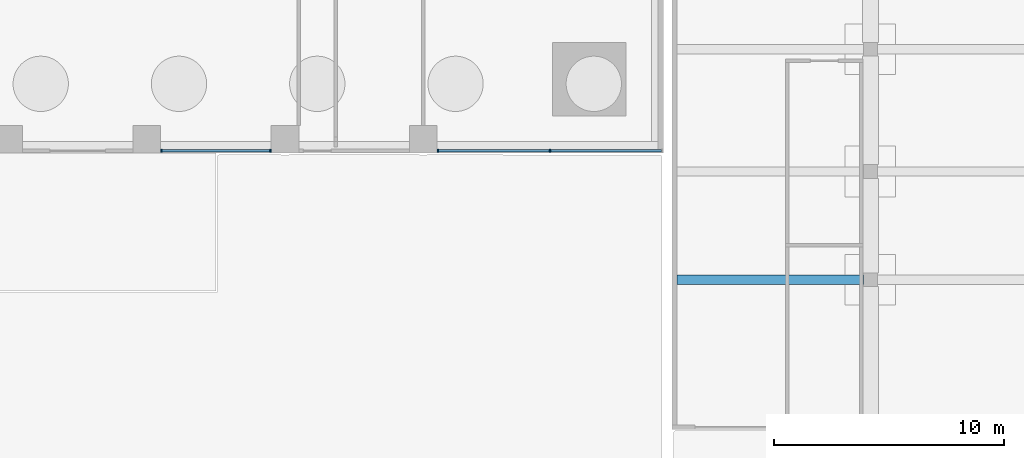
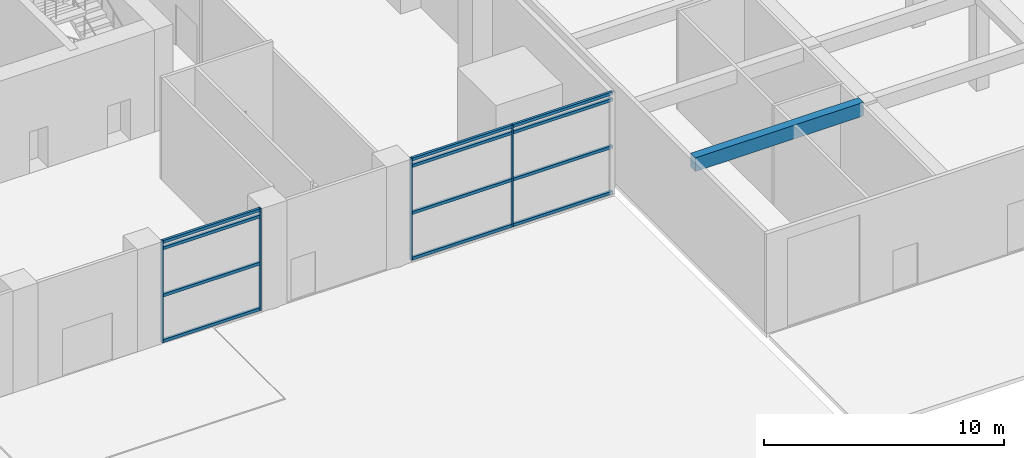
# One storey, part 4 of 33: 16 members, 1 beam, 2 elements without a shape of their own.
"""IFC4 building model written with IfcOpenShell, lengths in metres."""

from ifc_helpers import new_model, si_unit, direction, frame, origin, origin_2d, place, context, subcontext, project, spatial, rectangle, extrude, material, material_profile, profile_set, type_object, element, aggregate, save


model = new_model("IFC4")

# Units and contexts
model_context = context("Model", 3, precision=1e-05, world=origin(), true_north=direction((0.0, 1.0)))
body_context = subcontext(model_context, "Body", "Model", "MODEL_VIEW")
ifc_project = project(units=[si_unit("LENGTHUNIT", "METRE"), si_unit("AREAUNIT", "SQUARE_METRE"), si_unit("VOLUMEUNIT", "CUBIC_METRE"), si_unit("PLANEANGLEUNIT", "RADIAN"), si_unit("MASSUNIT", "GRAM", prefix="KILO")], contexts=[model_context])

# Site, building, storey
site_placement = place(None, origin())
site = spatial("IfcSite", under=ifc_project, at=site_placement, CompositionType="ELEMENT")
building_placement = place(site_placement, origin())
building = spatial("IfcBuilding", under=site, at=building_placement, Name="Amberfall Residences", CompositionType="ELEMENT")
storey_placement = place(building_placement, origin())
storey = spatial("IfcBuildingStorey", under=building, at=storey_placement, Name="L00", CompositionType="ELEMENT", Elevation=0.0)

# Curtain wall, members
ifc_material_1 = material(Name="Bronze anodised aluminium and glass", Category="aluminium")
curtain_wall_type = type_object("IfcCurtainWallType", Name="Curtain wall CW4 podium storefront", PredefinedType="USERDEFINED", material=ifc_material_1)
curtain_wall_1_placement = place(storey_placement, origin())
curtain_wall_1 = element("IfcCurtainWall", 1, at=curtain_wall_1_placement, inside=storey, type_object=curtain_wall_type, Name="Storefront L00 S5", ObjectType="UNITISED CURTAIN WALL", PredefinedType="USERDEFINED")
ifc_material_2 = material(Name="Bronze anodised aluminium", Category="aluminium")
ifc_material_profile_1 = material_profile(ifc_material_2, rectangle(XDim=0.1201171875, YDim=0.070068359375, at=origin_2d()), Name="CW4 mullion 70 x 120 bronze")
ifc_profile_set_1 = profile_set([ifc_material_profile_1], Name="Bronze anodised aluminium")
member_type_1 = type_object("IfcMemberType", Name="CW4 mullion 70 x 120 bronze", PredefinedType="MULLION", material=ifc_profile_set_1)
member_1_placement = place(storey_placement, frame((78.235107421875, 20.10009765625, 0.0), z_axis=(0.0, 0.0, 1.0), x_axis=(0.0, 1.0, 0.0)))
member_1 = element("IfcMember", 2, at=member_1_placement, type_object=member_type_1, Name="CW4 mullion 1", PredefinedType="MULLION", context=body_context, shape_type="SweptSolid", body=[
    extrude(rectangle(XDim=0.1201171875, YDim=0.070068359375, at=origin_2d()), origin(), (0.0, 0.0, 1.0), 5.199951171875),
])
member_2_placement = place(storey_placement, frame((82.965087890625, 20.10009765625, 0.0), z_axis=(0.0, 0.0, 1.0), x_axis=(0.0, 1.0, 0.0)))
member_2 = element("IfcMember", 3, at=member_2_placement, type_object=member_type_1, Name="CW4 mullion 2", PredefinedType="MULLION", context=body_context, shape_type="SweptSolid", body=[
    extrude(rectangle(XDim=0.1201171875, YDim=0.070068359375, at=origin_2d()), origin(), (0.0, 0.0, 1.0), 5.199951171875),
])

curtain_wall_2_placement = place(storey_placement, origin())
curtain_wall_2 = element("IfcCurtainWall", 4, at=curtain_wall_2_placement, inside=storey, type_object=curtain_wall_type, Name="Storefront L00 S7", ObjectType="UNITISED CURTAIN WALL", PredefinedType="USERDEFINED")
member_3_placement = place(storey_placement, frame((90.235107421875, 20.10009765625, 0.0), z_axis=(0.0, 0.0, 1.0), x_axis=(0.0, 1.0, 0.0)))
member_3 = element("IfcMember", 5, at=member_3_placement, type_object=member_type_1, Name="CW4 mullion 1", PredefinedType="MULLION", context=body_context, shape_type="SweptSolid", body=[
    extrude(rectangle(XDim=0.1201171875, YDim=0.070068359375, at=origin_2d()), origin(), (0.0, 0.0, 1.0), 5.199951171875),
])
member_4_placement = place(storey_placement, frame((95.10009765625, 20.10009765625, 0.0), z_axis=(0.0, 0.0, 1.0), x_axis=(0.0, 1.0, 0.0)))
member_4 = element("IfcMember", 6, at=member_4_placement, type_object=member_type_1, Name="CW4 mullion 2", PredefinedType="MULLION", context=body_context, shape_type="SweptSolid", body=[
    extrude(rectangle(XDim=0.1201171875, YDim=0.070068359375, at=origin_2d()), origin(), (0.0, 0.0, 1.0), 5.199951171875),
])

# Member
ifc_material_profile_2 = material_profile(ifc_material_2, rectangle(XDim=0.1201171875, YDim=0.14990234375, at=origin_2d()), Name="CW4 transom 120 x 150 bronze")
ifc_profile_set_2 = profile_set([ifc_material_profile_2], Name="Bronze anodised aluminium")
member_type_2 = type_object("IfcMemberType", Name="CW4 transom 120 x 150 bronze", PredefinedType="USERDEFINED", material=ifc_profile_set_2)
member_5_placement = place(storey_placement, frame((78.27001953125, 20.10009765625, 0.074951171875), z_axis=(1.0, 0.0, 0.0), x_axis=(0.0, 1.0, 0.0)))
member_5 = element("IfcMember", 7, at=member_5_placement, type_object=member_type_2, Name="CW4 transom 1.1", ObjectType="TRANSOM", PredefinedType="USERDEFINED", context=body_context, shape_type="SweptSolid", body=[
    extrude(rectangle(XDim=0.1201171875, YDim=0.14990234375, at=origin_2d()), origin(), (0.0, 0.0, 1.0), 4.659912109375),
])

member_6_placement = place(storey_placement, frame((78.27001953125, 20.10009765625, 2.39990234375), z_axis=(1.0, 0.0, 0.0), x_axis=(0.0, 1.0, 0.0)))
member_6 = element("IfcMember", 8, at=member_6_placement, type_object=member_type_2, Name="CW4 transom 1.2", ObjectType="TRANSOM", PredefinedType="USERDEFINED", context=body_context, shape_type="SweptSolid", body=[
    extrude(rectangle(XDim=0.1201171875, YDim=0.14990234375, at=origin_2d()), origin(), (0.0, 0.0, 1.0), 4.659912109375),
])

member_7_placement = place(storey_placement, frame((78.27001953125, 20.10009765625, 4.800048828125), z_axis=(1.0, 0.0, 0.0), x_axis=(0.0, 1.0, 0.0)))
member_7 = element("IfcMember", 9, at=member_7_placement, type_object=member_type_2, Name="CW4 transom 1.3", ObjectType="TRANSOM", PredefinedType="USERDEFINED", context=body_context, shape_type="SweptSolid", body=[
    extrude(rectangle(XDim=0.1201171875, YDim=0.14990234375, at=origin_2d()), origin(), (0.0, 0.0, 1.0), 4.659912109375),
])

member_8_placement = place(storey_placement, frame((78.27001953125, 20.10009765625, 5.125), z_axis=(1.0, 0.0, 0.0), x_axis=(0.0, 1.0, 0.0)))
member_8 = element("IfcMember", 10, at=member_8_placement, type_object=member_type_2, Name="CW4 transom 1.4", ObjectType="TRANSOM", PredefinedType="USERDEFINED", context=body_context, shape_type="SweptSolid", body=[
    extrude(rectangle(XDim=0.1201171875, YDim=0.14990234375, at=origin_2d()), origin(), (0.0, 0.0, 1.0), 4.659912109375),
])

aggregate(curtain_wall_1, [member_1, member_2, member_5, member_6, member_7, member_8])

member_9_placement = place(storey_placement, frame((90.27001953125, 20.10009765625, 0.074951171875), z_axis=(1.0, 0.0, 0.0), x_axis=(0.0, 1.0, 0.0)))
member_9 = element("IfcMember", 11, at=member_9_placement, type_object=member_type_2, Name="CW4 transom 1.1", ObjectType="TRANSOM", PredefinedType="USERDEFINED", context=body_context, shape_type="SweptSolid", body=[
    extrude(rectangle(XDim=0.1201171875, YDim=0.14990234375, at=origin_2d()), origin(), (0.0, 0.0, 1.0), 4.794921875),
])

member_10_placement = place(storey_placement, frame((90.27001953125, 20.10009765625, 2.39990234375), z_axis=(1.0, 0.0, 0.0), x_axis=(0.0, 1.0, 0.0)))
member_10 = element("IfcMember", 12, at=member_10_placement, type_object=member_type_2, Name="CW4 transom 1.2", ObjectType="TRANSOM", PredefinedType="USERDEFINED", context=body_context, shape_type="SweptSolid", body=[
    extrude(rectangle(XDim=0.1201171875, YDim=0.14990234375, at=origin_2d()), origin(), (0.0, 0.0, 1.0), 4.794921875),
])

member_11_placement = place(storey_placement, frame((90.27001953125, 20.10009765625, 4.800048828125), z_axis=(1.0, 0.0, 0.0), x_axis=(0.0, 1.0, 0.0)))
member_11 = element("IfcMember", 13, at=member_11_placement, type_object=member_type_2, Name="CW4 transom 1.3", ObjectType="TRANSOM", PredefinedType="USERDEFINED", context=body_context, shape_type="SweptSolid", body=[
    extrude(rectangle(XDim=0.1201171875, YDim=0.14990234375, at=origin_2d()), origin(), (0.0, 0.0, 1.0), 4.794921875),
])

member_12_placement = place(storey_placement, frame((90.27001953125, 20.10009765625, 5.125), z_axis=(1.0, 0.0, 0.0), x_axis=(0.0, 1.0, 0.0)))
member_12 = element("IfcMember", 14, at=member_12_placement, type_object=member_type_2, Name="CW4 transom 1.4", ObjectType="TRANSOM", PredefinedType="USERDEFINED", context=body_context, shape_type="SweptSolid", body=[
    extrude(rectangle(XDim=0.1201171875, YDim=0.14990234375, at=origin_2d()), origin(), (0.0, 0.0, 1.0), 4.794921875),
])

member_13_placement = place(storey_placement, frame((95.135009765625, 20.10009765625, 0.074951171875), z_axis=(1.0, 0.0, 0.0), x_axis=(0.0, 1.0, 0.0)))
member_13 = element("IfcMember", 15, at=member_13_placement, type_object=member_type_2, Name="CW4 transom 2.1", ObjectType="TRANSOM", PredefinedType="USERDEFINED", context=body_context, shape_type="SweptSolid", body=[
    extrude(rectangle(XDim=0.1201171875, YDim=0.14990234375, at=origin_2d()), origin(), (0.0, 0.0, 1.0), 4.794921875),
])

member_14_placement = place(storey_placement, frame((95.135009765625, 20.10009765625, 2.39990234375), z_axis=(1.0, 0.0, 0.0), x_axis=(0.0, 1.0, 0.0)))
member_14 = element("IfcMember", 16, at=member_14_placement, type_object=member_type_2, Name="CW4 transom 2.2", ObjectType="TRANSOM", PredefinedType="USERDEFINED", context=body_context, shape_type="SweptSolid", body=[
    extrude(rectangle(XDim=0.1201171875, YDim=0.14990234375, at=origin_2d()), origin(), (0.0, 0.0, 1.0), 4.794921875),
])

member_15_placement = place(storey_placement, frame((95.135009765625, 20.10009765625, 4.800048828125), z_axis=(1.0, 0.0, 0.0), x_axis=(0.0, 1.0, 0.0)))
member_15 = element("IfcMember", 17, at=member_15_placement, type_object=member_type_2, Name="CW4 transom 2.3", ObjectType="TRANSOM", PredefinedType="USERDEFINED", context=body_context, shape_type="SweptSolid", body=[
    extrude(rectangle(XDim=0.1201171875, YDim=0.14990234375, at=origin_2d()), origin(), (0.0, 0.0, 1.0), 4.794921875),
])

member_16_placement = place(storey_placement, frame((95.135009765625, 20.10009765625, 5.125), z_axis=(1.0, 0.0, 0.0), x_axis=(0.0, 1.0, 0.0)))
member_16 = element("IfcMember", 18, at=member_16_placement, type_object=member_type_2, Name="CW4 transom 2.4", ObjectType="TRANSOM", PredefinedType="USERDEFINED", context=body_context, shape_type="SweptSolid", body=[
    extrude(rectangle(XDim=0.1201171875, YDim=0.14990234375, at=origin_2d()), origin(), (0.0, 0.0, 1.0), 4.794921875),
])

aggregate(curtain_wall_2, [member_3, member_4, member_9, member_10, member_11, member_12, member_13, member_14, member_15, member_16])

# Beam
ifc_material_3 = material(Name="Concrete C50", Category="concrete")
ifc_material_profile_3 = material_profile(ifc_material_3, rectangle(XDim=0.39990234375, YDim=0.699951171875, at=origin_2d()), Name="RC 400x700")
ifc_profile_set_3 = profile_set([ifc_material_profile_3], Name="Concrete C50")
beam_type = type_object("IfcBeamType", Name="Car park beam 400x700 C50", PredefinedType="BEAM", material=ifc_profile_set_3)
beam_placement = place(storey_placement, frame((100.60009765625, 14.5, 4.72998046875), z_axis=(1.0, 0.0, 0.0), x_axis=(0.0, 1.0, 0.0)))
element("IfcBeam", 19, at=beam_placement, inside=storey, type_object=beam_type, Name="Car park beam 400x700 C50 L00 001", PredefinedType="BEAM", context=body_context, shape_type="SweptSolid", body=[
    extrude(rectangle(XDim=0.39990234375, YDim=0.699951171875, at=origin_2d()), origin(), (0.0, 0.0, 1.0), 8.099853515625),
])

save(model, "model.ifc")
